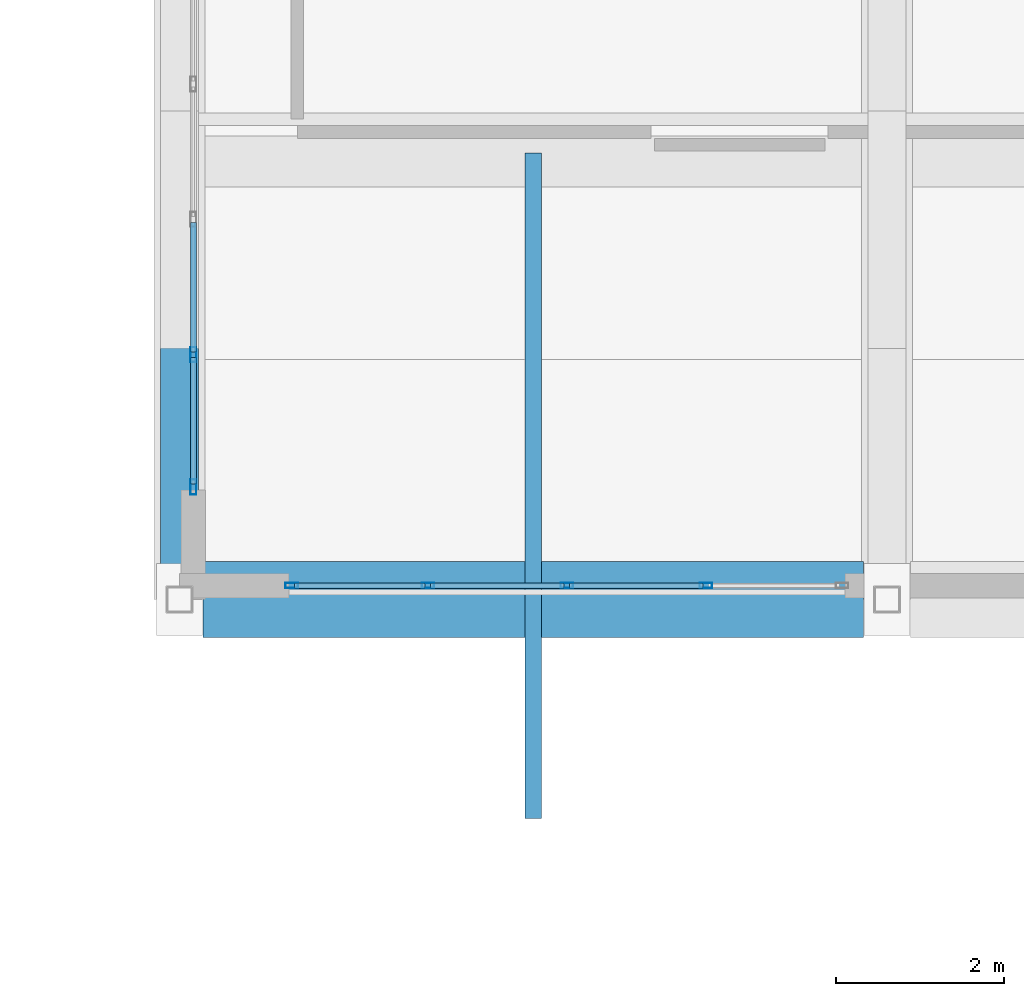
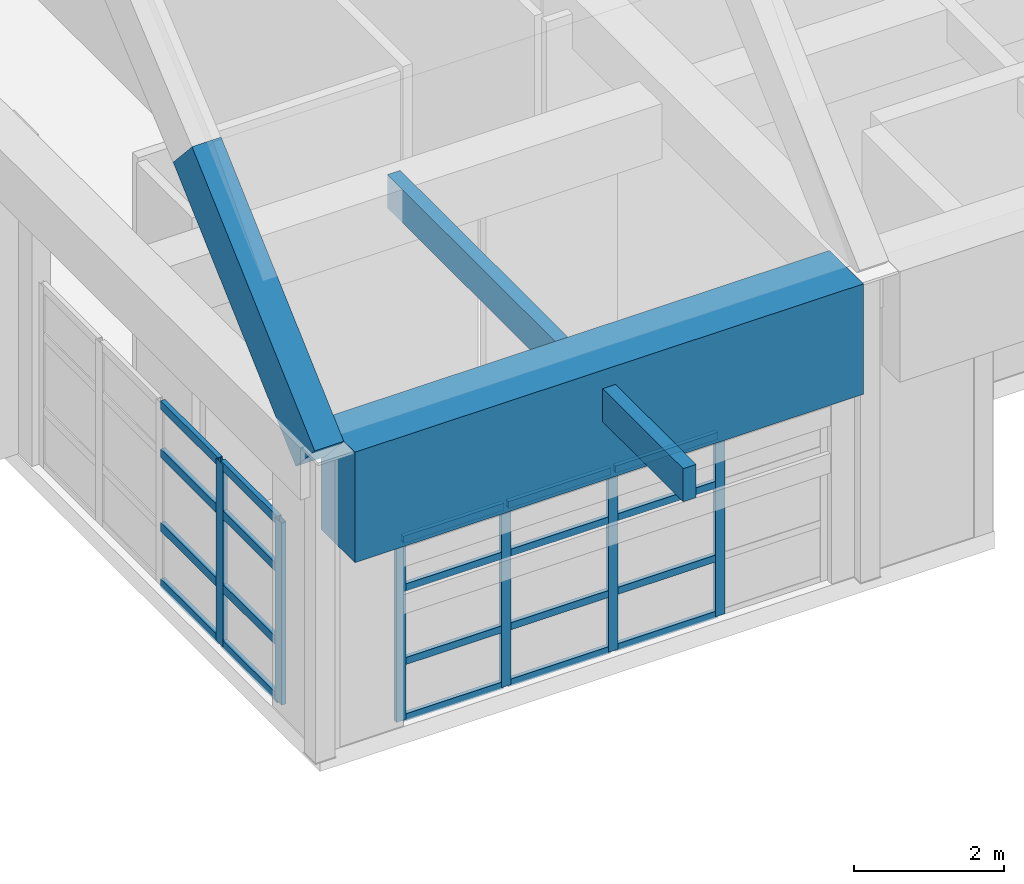
# One storey, part 27 of 103: 27 members, 2 beams, 2 elements without a shape of their own.
"""IFC4 building model written with IfcOpenShell, lengths in metres."""

from ifc_helpers import new_model, si_unit, direction, frame, origin, origin_2d, place, context, subcontext, project, spatial, rectangle, hollow_rectangle, extrude, material, layer, layer_set, material_profile, profile_set, type_object, element, aggregate, save


model = new_model("IFC4")

# Units and contexts
model_context = context("Model", 3, precision=1e-05, world=origin(), true_north=direction((0.0, 1.0)))
body_context = subcontext(model_context, "Body", "Model", "MODEL_VIEW")
ifc_project = project(units=[si_unit("LENGTHUNIT", "METRE"), si_unit("AREAUNIT", "SQUARE_METRE"), si_unit("VOLUMEUNIT", "CUBIC_METRE"), si_unit("PLANEANGLEUNIT", "RADIAN"), si_unit("MASSUNIT", "GRAM", prefix="KILO")], contexts=[model_context])

# Site, building, storey
site_placement = place(None, origin())
site = spatial("IfcSite", under=ifc_project, at=site_placement, CompositionType="ELEMENT")
building_placement = place(site_placement, origin())
building = spatial("IfcBuilding", under=site, at=building_placement, Name="Quendrovan Civic Courthouse", CompositionType="ELEMENT")
storey_placement = place(building_placement, frame((0.0, 0.0, 15.300048828125)))
storey = spatial("IfcBuildingStorey", under=building, at=storey_placement, Name="L04", CompositionType="ELEMENT", Elevation=15.300048828125)

# Beams
ifc_material_1 = material(Name="Concrete C45/55", Category="concrete")
ifc_material_profile_1 = material_profile(ifc_material_1, rectangle(XDim=0.89990234375, YDim=1.800048828125, at=origin_2d()), Name="RC-TG-900x1800")
ifc_profile_set_1 = profile_set([ifc_material_profile_1], Name="Concrete C45/55")
beam_type_1 = type_object("IfcBeamType", Name="BM-TG1800", PredefinedType="BEAM", material=ifc_profile_set_1)
beam_1_placement = place(storey_placement, frame((33.8798828125, 64.800048828125, 4.199951171875), z_axis=(1.0, 0.0, 0.0), x_axis=(0.0, 1.0, 0.0)))
element("IfcBeam", 1, at=beam_1_placement, inside=storey, type_object=beam_type_1, Name="BV2 Springing Collector Girder S-1", PredefinedType="BEAM", context=body_context, shape_type="SweptSolid", body=[
    extrude(rectangle(XDim=0.89990234375, YDim=1.800048828125, at=origin_2d()), origin(), (0.0, 0.0, 1.0), 7.840087890625),
])
ifc_material_2 = material(Name="Concrete C40/50", Category="concrete")
ifc_material_profile_2 = material_profile(ifc_material_2, rectangle(XDim=0.449951171875, YDim=0.75, at=origin_2d()), Name="RC-VRIB-450x750")
ifc_profile_set_2 = profile_set([ifc_material_profile_2], Name="Concrete C40/50")
beam_type_2 = type_object("IfcBeamType", Name="BM-VRIB750", PredefinedType="BEAM", material=ifc_profile_set_2)
beam_2_placement = place(storey_placement, frame((33.60009765625, 64.800048828125, 4.89990234375), z_axis=(0.0, 0.740758632606, 0.671771276716), x_axis=(-1.0, 0.0, 0.0)))
element("IfcBeam", 2, at=beam_2_placement, inside=storey, type_object=beam_type_2, Name="BV2 Concrete Vault Arch Rib A1-C1", PredefinedType="BEAM", context=body_context, shape_type="SweptSolid", body=[
    extrude(rectangle(XDim=0.449951171875, YDim=0.75, at=origin_2d()), origin(), (0.0, 0.0, 1.0), 4.423583984375),
])

# Curtain wall, members
ifc_material_3 = material(Name="Bronze anodised aluminium and low-E glass", Category="aluminium")
ifc_layer_1 = layer(ifc_material_3, 0.179931640625, Name="Bronze anodised aluminium and low-E glass")
ifc_layer_set_1 = layer_set([ifc_layer_1], Name="Bronze anodised aluminium and low-E glass")
curtain_wall_type_1 = type_object("IfcCurtainWallType", Name="CW-U64x30", PredefinedType="USERDEFINED", material=ifc_layer_set_1)
curtain_wall_1_placement = place(storey_placement, origin())
curtain_wall_1 = element("IfcCurtainWall", 3, at=curtain_wall_1_placement, inside=storey, type_object=curtain_wall_type_1, Name="L04 Unitised Hurricane Curtain Wall CW-164", ObjectType="UNITISED CURTAIN WALL", PredefinedType="USERDEFINED")
ifc_material_4 = material(Name="Bronze anodised aluminium", Category="aluminium")
ifc_material_profile_3 = material_profile(ifc_material_4, hollow_rectangle(XDim=0.070068359375, YDim=0.179931640625, WallThickness=0.00390625, at=origin_2d()), Name="CW-MULL-70x180")
ifc_profile_set_3 = profile_set([ifc_material_profile_3], Name="Bronze anodised aluminium")
member_type_1 = type_object("IfcMemberType", Name="CW-MULL-A", PredefinedType="MULLION", material=ifc_profile_set_3)
member_1_placement = place(storey_placement, frame((33.764892578125, 66.135009765625, 0.0), z_axis=(0.0, 0.0, 1.0), x_axis=(-1.0, 0.0, 0.0)))
member_1 = element("IfcMember", 4, at=member_1_placement, type_object=member_type_1, Name="CW-164 mullion 1", PredefinedType="MULLION", context=body_context, shape_type="SweptSolid", body=[
    extrude(hollow_rectangle(XDim=0.070068359375, YDim=0.179931640625, WallThickness=0.00390625, at=origin_2d()), origin(), (0.0, 0.0, 1.0), 2.969970703125),
])
member_2_placement = place(storey_placement, frame((33.764892578125, 67.706298828125, 0.0), z_axis=(0.0, 0.0, 1.0), x_axis=(-1.0, 0.0, 0.0)))
member_2 = element("IfcMember", 5, at=member_2_placement, type_object=member_type_1, Name="CW-164 mullion 2", PredefinedType="MULLION", context=body_context, shape_type="SweptSolid", body=[
    extrude(hollow_rectangle(XDim=0.070068359375, YDim=0.179931640625, WallThickness=0.00390625, at=origin_2d()), origin(), (0.0, 0.0, 1.0), 2.969970703125),
])

ifc_layer_2 = layer(ifc_material_3, 0.179931640625, Name="Bronze anodised aluminium and low-E glass")
ifc_layer_set_2 = layer_set([ifc_layer_2], Name="Bronze anodised aluminium and low-E glass")
curtain_wall_type_2 = type_object("IfcCurtainWallType", Name="CW-U66x30", PredefinedType="USERDEFINED", material=ifc_layer_set_2)
curtain_wall_2_placement = place(storey_placement, origin())
curtain_wall_2 = element("IfcCurtainWall", 6, at=curtain_wall_2_placement, inside=storey, type_object=curtain_wall_type_2, Name="L04 Unitised Hurricane Curtain Wall CW-163", ObjectType="UNITISED CURTAIN WALL", PredefinedType="USERDEFINED")
ifc_material_profile_4 = material_profile(ifc_material_4, hollow_rectangle(XDim=0.06494140625, YDim=0.14990234375, WallThickness=0.00390625, at=origin_2d()), Name="CW-MULL-65x150")
ifc_profile_set_4 = profile_set([ifc_material_profile_4], Name="Bronze anodised aluminium")
member_type_2 = type_object("IfcMemberType", Name="CW-MULL-B", PredefinedType="MULLION", material=ifc_profile_set_4)
member_3_placement = place(storey_placement, frame((39.85009765625, 64.965087890625, 0.0), z_axis=(0.0, 0.0, 1.0), x_axis=(0.0, -1.0, 0.0)))
member_3 = element("IfcMember", 7, at=member_3_placement, type_object=member_type_2, Name="CW-163 mullion 2", PredefinedType="MULLION", context=body_context, shape_type="SweptSolid", body=[
    extrude(hollow_rectangle(XDim=0.06494140625, YDim=0.14990234375, WallThickness=0.00390625, at=origin_2d()), origin(), (0.0, 0.0, 1.0), 2.969970703125),
])
member_4_placement = place(storey_placement, frame((38.199951171875, 64.965087890625, 0.0), z_axis=(0.0, 0.0, 1.0), x_axis=(0.0, -1.0, 0.0)))
member_4 = element("IfcMember", 8, at=member_4_placement, type_object=member_type_2, Name="CW-163 mullion 3", PredefinedType="MULLION", context=body_context, shape_type="SweptSolid", body=[
    extrude(hollow_rectangle(XDim=0.06494140625, YDim=0.14990234375, WallThickness=0.00390625, at=origin_2d()), origin(), (0.0, 0.0, 1.0), 2.969970703125),
])
member_5_placement = place(storey_placement, frame((36.550048828125, 64.965087890625, 0.0), z_axis=(0.0, 0.0, 1.0), x_axis=(0.0, -1.0, 0.0)))
member_5 = element("IfcMember", 9, at=member_5_placement, type_object=member_type_2, Name="CW-163 mullion 4", PredefinedType="MULLION", context=body_context, shape_type="SweptSolid", body=[
    extrude(hollow_rectangle(XDim=0.06494140625, YDim=0.14990234375, WallThickness=0.00390625, at=origin_2d()), origin(), (0.0, 0.0, 1.0), 2.969970703125),
])
member_6_placement = place(storey_placement, frame((34.9326171875, 64.965087890625, 0.0), z_axis=(0.0, 0.0, 1.0), x_axis=(0.0, -1.0, 0.0)))
member_6 = element("IfcMember", 10, at=member_6_placement, type_object=member_type_2, Name="CW-163 mullion 5", PredefinedType="MULLION", context=body_context, shape_type="SweptSolid", body=[
    extrude(hollow_rectangle(XDim=0.06494140625, YDim=0.14990234375, WallThickness=0.00390625, at=origin_2d()), origin(), (0.0, 0.0, 1.0), 2.969970703125),
])

# Member
ifc_material_profile_5 = material_profile(ifc_material_4, hollow_rectangle(XDim=0.070068359375, YDim=0.139892578125, WallThickness=0.00390625, at=origin_2d()), Name="CW-TRAN-70x140")
ifc_profile_set_5 = profile_set([ifc_material_profile_5], Name="Bronze anodised aluminium")
member_type_3 = type_object("IfcMemberType", Name="CW-TRAN-A", PredefinedType="USERDEFINED", material=ifc_profile_set_5)
member_7_placement = place(storey_placement, frame((33.764892578125, 66.169921875, 0.034912109375), z_axis=(0.0, 1.0, 0.0), x_axis=(-1.0, 0.0, 0.0)))
member_7 = element("IfcMember", 11, at=member_7_placement, type_object=member_type_3, Name="CW-164 transom 1.1", ObjectType="TRANSOM", PredefinedType="USERDEFINED", context=body_context, shape_type="SweptSolid", body=[
    extrude(hollow_rectangle(XDim=0.070068359375, YDim=0.139892578125, WallThickness=0.00390625, at=origin_2d()), origin(), (0.0, 0.0, 1.0), 1.501220703125),
])

member_8_placement = place(storey_placement, frame((33.764892578125, 66.169921875, 0.949951171875), z_axis=(0.0, 1.0, 0.0), x_axis=(-1.0, 0.0, 0.0)))
member_8 = element("IfcMember", 12, at=member_8_placement, type_object=member_type_3, Name="CW-164 transom 1.2", ObjectType="TRANSOM", PredefinedType="USERDEFINED", context=body_context, shape_type="SweptSolid", body=[
    extrude(hollow_rectangle(XDim=0.070068359375, YDim=0.139892578125, WallThickness=0.00390625, at=origin_2d()), origin(), (0.0, 0.0, 1.0), 1.501220703125),
])

member_9_placement = place(storey_placement, frame((33.764892578125, 66.169921875, 2.14990234375), z_axis=(0.0, 1.0, 0.0), x_axis=(-1.0, 0.0, 0.0)))
member_9 = element("IfcMember", 13, at=member_9_placement, type_object=member_type_3, Name="CW-164 transom 1.3", ObjectType="TRANSOM", PredefinedType="USERDEFINED", context=body_context, shape_type="SweptSolid", body=[
    extrude(hollow_rectangle(XDim=0.070068359375, YDim=0.139892578125, WallThickness=0.00390625, at=origin_2d()), origin(), (0.0, 0.0, 1.0), 1.501220703125),
])

member_10_placement = place(storey_placement, frame((33.764892578125, 66.169921875, 2.93505859375), z_axis=(0.0, 1.0, 0.0), x_axis=(-1.0, 0.0, 0.0)))
member_10 = element("IfcMember", 14, at=member_10_placement, type_object=member_type_3, Name="CW-164 transom 1.4", ObjectType="TRANSOM", PredefinedType="USERDEFINED", context=body_context, shape_type="SweptSolid", body=[
    extrude(hollow_rectangle(XDim=0.070068359375, YDim=0.139892578125, WallThickness=0.00390625, at=origin_2d()), origin(), (0.0, 0.0, 1.0), 1.501220703125),
])

member_11_placement = place(storey_placement, frame((33.764892578125, 67.7412109375, 0.034912109375), z_axis=(0.0, 1.0, 0.0), x_axis=(-1.0, 0.0, 0.0)))
member_11 = element("IfcMember", 15, at=member_11_placement, type_object=member_type_3, Name="CW-164 transom 2.1", ObjectType="TRANSOM", PredefinedType="USERDEFINED", context=body_context, shape_type="SweptSolid", body=[
    extrude(hollow_rectangle(XDim=0.070068359375, YDim=0.139892578125, WallThickness=0.00390625, at=origin_2d()), origin(), (0.0, 0.0, 1.0), 1.536376953125),
])

member_12_placement = place(storey_placement, frame((33.764892578125, 67.7412109375, 0.949951171875), z_axis=(0.0, 1.0, 0.0), x_axis=(-1.0, 0.0, 0.0)))
member_12 = element("IfcMember", 16, at=member_12_placement, type_object=member_type_3, Name="CW-164 transom 2.2", ObjectType="TRANSOM", PredefinedType="USERDEFINED", context=body_context, shape_type="SweptSolid", body=[
    extrude(hollow_rectangle(XDim=0.070068359375, YDim=0.139892578125, WallThickness=0.00390625, at=origin_2d()), origin(), (0.0, 0.0, 1.0), 1.536376953125),
])

member_13_placement = place(storey_placement, frame((33.764892578125, 67.7412109375, 2.14990234375), z_axis=(0.0, 1.0, 0.0), x_axis=(-1.0, 0.0, 0.0)))
member_13 = element("IfcMember", 17, at=member_13_placement, type_object=member_type_3, Name="CW-164 transom 2.3", ObjectType="TRANSOM", PredefinedType="USERDEFINED", context=body_context, shape_type="SweptSolid", body=[
    extrude(hollow_rectangle(XDim=0.070068359375, YDim=0.139892578125, WallThickness=0.00390625, at=origin_2d()), origin(), (0.0, 0.0, 1.0), 1.536376953125),
])

member_14_placement = place(storey_placement, frame((33.764892578125, 67.7412109375, 2.93505859375), z_axis=(0.0, 1.0, 0.0), x_axis=(-1.0, 0.0, 0.0)))
member_14 = element("IfcMember", 18, at=member_14_placement, type_object=member_type_3, Name="CW-164 transom 2.4", ObjectType="TRANSOM", PredefinedType="USERDEFINED", context=body_context, shape_type="SweptSolid", body=[
    extrude(hollow_rectangle(XDim=0.070068359375, YDim=0.139892578125, WallThickness=0.00390625, at=origin_2d()), origin(), (0.0, 0.0, 1.0), 1.536376953125),
])

aggregate(curtain_wall_1, [member_1, member_2, member_7, member_8, member_9, member_10, member_11, member_12, member_13, member_14])

ifc_material_profile_6 = material_profile(ifc_material_4, hollow_rectangle(XDim=0.06494140625, YDim=0.114990234375, WallThickness=0.00390625, at=origin_2d()), Name="CW-TRAN-65x115")
ifc_profile_set_6 = profile_set([ifc_material_profile_6], Name="Bronze anodised aluminium")
member_type_4 = type_object("IfcMemberType", Name="CW-TRAN-B", PredefinedType="USERDEFINED", material=ifc_profile_set_6)
member_15_placement = place(storey_placement, frame((39.8173828125, 64.965087890625, 0.032470703125), z_axis=(-1.0, 0.0, 0.0), x_axis=(0.0, -1.0, 0.0)))
member_15 = element("IfcMember", 19, at=member_15_placement, type_object=member_type_4, Name="CW-163 transom 2.1", ObjectType="TRANSOM", PredefinedType="USERDEFINED", context=body_context, shape_type="SweptSolid", body=[
    extrude(hollow_rectangle(XDim=0.06494140625, YDim=0.114990234375, WallThickness=0.00390625, at=origin_2d()), origin(), (0.0, 0.0, 1.0), 1.5849609375),
])

member_16_placement = place(storey_placement, frame((39.8173828125, 64.965087890625, 0.949951171875), z_axis=(-1.0, 0.0, 0.0), x_axis=(0.0, -1.0, 0.0)))
member_16 = element("IfcMember", 20, at=member_16_placement, type_object=member_type_4, Name="CW-163 transom 2.2", ObjectType="TRANSOM", PredefinedType="USERDEFINED", context=body_context, shape_type="SweptSolid", body=[
    extrude(hollow_rectangle(XDim=0.06494140625, YDim=0.114990234375, WallThickness=0.00390625, at=origin_2d()), origin(), (0.0, 0.0, 1.0), 1.5849609375),
])

member_17_placement = place(storey_placement, frame((39.8173828125, 64.965087890625, 2.14990234375), z_axis=(-1.0, 0.0, 0.0), x_axis=(0.0, -1.0, 0.0)))
member_17 = element("IfcMember", 21, at=member_17_placement, type_object=member_type_4, Name="CW-163 transom 2.3", ObjectType="TRANSOM", PredefinedType="USERDEFINED", context=body_context, shape_type="SweptSolid", body=[
    extrude(hollow_rectangle(XDim=0.06494140625, YDim=0.114990234375, WallThickness=0.00390625, at=origin_2d()), origin(), (0.0, 0.0, 1.0), 1.5849609375),
])

member_18_placement = place(storey_placement, frame((39.8173828125, 64.965087890625, 2.9375), z_axis=(-1.0, 0.0, 0.0), x_axis=(0.0, -1.0, 0.0)))
member_18 = element("IfcMember", 22, at=member_18_placement, type_object=member_type_4, Name="CW-163 transom 2.4", ObjectType="TRANSOM", PredefinedType="USERDEFINED", context=body_context, shape_type="SweptSolid", body=[
    extrude(hollow_rectangle(XDim=0.06494140625, YDim=0.114990234375, WallThickness=0.00390625, at=origin_2d()), origin(), (0.0, 0.0, 1.0), 1.5849609375),
])

member_19_placement = place(storey_placement, frame((38.16748046875, 64.965087890625, 0.032470703125), z_axis=(-1.0, 0.0, 0.0), x_axis=(0.0, -1.0, 0.0)))
member_19 = element("IfcMember", 23, at=member_19_placement, type_object=member_type_4, Name="CW-163 transom 3.1", ObjectType="TRANSOM", PredefinedType="USERDEFINED", context=body_context, shape_type="SweptSolid", body=[
    extrude(hollow_rectangle(XDim=0.06494140625, YDim=0.114990234375, WallThickness=0.00390625, at=origin_2d()), origin(), (0.0, 0.0, 1.0), 1.5849609375),
])

member_20_placement = place(storey_placement, frame((38.16748046875, 64.965087890625, 0.949951171875), z_axis=(-1.0, 0.0, 0.0), x_axis=(0.0, -1.0, 0.0)))
member_20 = element("IfcMember", 24, at=member_20_placement, type_object=member_type_4, Name="CW-163 transom 3.2", ObjectType="TRANSOM", PredefinedType="USERDEFINED", context=body_context, shape_type="SweptSolid", body=[
    extrude(hollow_rectangle(XDim=0.06494140625, YDim=0.114990234375, WallThickness=0.00390625, at=origin_2d()), origin(), (0.0, 0.0, 1.0), 1.5849609375),
])

member_21_placement = place(storey_placement, frame((38.16748046875, 64.965087890625, 2.14990234375), z_axis=(-1.0, 0.0, 0.0), x_axis=(0.0, -1.0, 0.0)))
member_21 = element("IfcMember", 25, at=member_21_placement, type_object=member_type_4, Name="CW-163 transom 3.3", ObjectType="TRANSOM", PredefinedType="USERDEFINED", context=body_context, shape_type="SweptSolid", body=[
    extrude(hollow_rectangle(XDim=0.06494140625, YDim=0.114990234375, WallThickness=0.00390625, at=origin_2d()), origin(), (0.0, 0.0, 1.0), 1.5849609375),
])

member_22_placement = place(storey_placement, frame((38.16748046875, 64.965087890625, 2.9375), z_axis=(-1.0, 0.0, 0.0), x_axis=(0.0, -1.0, 0.0)))
member_22 = element("IfcMember", 26, at=member_22_placement, type_object=member_type_4, Name="CW-163 transom 3.4", ObjectType="TRANSOM", PredefinedType="USERDEFINED", context=body_context, shape_type="SweptSolid", body=[
    extrude(hollow_rectangle(XDim=0.06494140625, YDim=0.114990234375, WallThickness=0.00390625, at=origin_2d()), origin(), (0.0, 0.0, 1.0), 1.5849609375),
])

member_23_placement = place(storey_placement, frame((36.517578125, 64.965087890625, 0.032470703125), z_axis=(-1.0, 0.0, 0.0), x_axis=(0.0, -1.0, 0.0)))
member_23 = element("IfcMember", 27, at=member_23_placement, type_object=member_type_4, Name="CW-163 transom 4.1", ObjectType="TRANSOM", PredefinedType="USERDEFINED", context=body_context, shape_type="SweptSolid", body=[
    extrude(hollow_rectangle(XDim=0.06494140625, YDim=0.114990234375, WallThickness=0.00390625, at=origin_2d()), origin(), (0.0, 0.0, 1.0), 1.552490234375),
])

member_24_placement = place(storey_placement, frame((36.517578125, 64.965087890625, 0.949951171875), z_axis=(-1.0, 0.0, 0.0), x_axis=(0.0, -1.0, 0.0)))
member_24 = element("IfcMember", 28, at=member_24_placement, type_object=member_type_4, Name="CW-163 transom 4.2", ObjectType="TRANSOM", PredefinedType="USERDEFINED", context=body_context, shape_type="SweptSolid", body=[
    extrude(hollow_rectangle(XDim=0.06494140625, YDim=0.114990234375, WallThickness=0.00390625, at=origin_2d()), origin(), (0.0, 0.0, 1.0), 1.552490234375),
])

member_25_placement = place(storey_placement, frame((36.517578125, 64.965087890625, 2.14990234375), z_axis=(-1.0, 0.0, 0.0), x_axis=(0.0, -1.0, 0.0)))
member_25 = element("IfcMember", 29, at=member_25_placement, type_object=member_type_4, Name="CW-163 transom 4.3", ObjectType="TRANSOM", PredefinedType="USERDEFINED", context=body_context, shape_type="SweptSolid", body=[
    extrude(hollow_rectangle(XDim=0.06494140625, YDim=0.114990234375, WallThickness=0.00390625, at=origin_2d()), origin(), (0.0, 0.0, 1.0), 1.552490234375),
])

member_26_placement = place(storey_placement, frame((36.517578125, 64.965087890625, 2.9375), z_axis=(-1.0, 0.0, 0.0), x_axis=(0.0, -1.0, 0.0)))
member_26 = element("IfcMember", 30, at=member_26_placement, type_object=member_type_4, Name="CW-163 transom 4.4", ObjectType="TRANSOM", PredefinedType="USERDEFINED", context=body_context, shape_type="SweptSolid", body=[
    extrude(hollow_rectangle(XDim=0.06494140625, YDim=0.114990234375, WallThickness=0.00390625, at=origin_2d()), origin(), (0.0, 0.0, 1.0), 1.552490234375),
])

aggregate(curtain_wall_2, [member_3, member_4, member_5, member_6, member_15, member_16, member_17, member_18, member_19, member_20, member_21, member_22, member_23, member_24, member_25, member_26])

ifc_material_5 = material(Name="Western Red Cedar Glulam GL28h", Category="wood")
ifc_material_profile_7 = material_profile(ifc_material_5, rectangle(XDim=0.199951171875, YDim=0.5400390625, at=origin_2d()), Name="GL28H-200x540")
ifc_profile_set_7 = profile_set([ifc_material_profile_7], Name="Western Red Cedar Glulam GL28h")
member_type_5 = type_object("IfcMemberType", Name="MEM-PUR-GL540", PredefinedType="PURLIN", material=ifc_profile_set_7)
member_27_placement = place(storey_placement, frame((37.800048828125, 62.199951171875, 4.530029296875), z_axis=(0.0, 1.0, 0.0), x_axis=(-1.0, 0.0, 0.0)))
element("IfcMember", 31, at=member_27_placement, inside=storey, type_object=member_type_5, Name="BV2 Cedar Glulam South Hurricane Eave Outrigger B1", PredefinedType="PURLIN", context=body_context, shape_type="SweptSolid", body=[
    extrude(rectangle(XDim=0.199951171875, YDim=0.5400390625, at=origin_2d()), origin(), (0.0, 0.0, 1.0), 7.900146484375),
])

save(model, "model.ifc")
